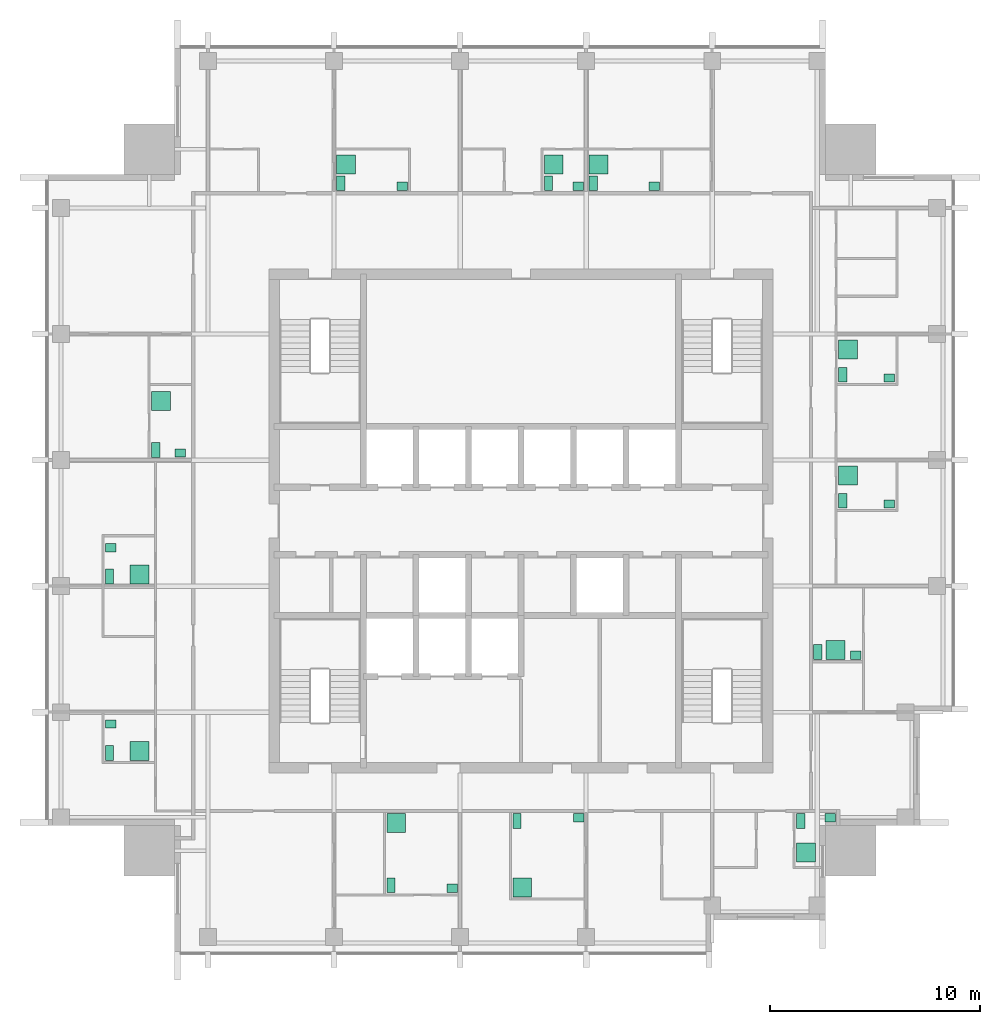
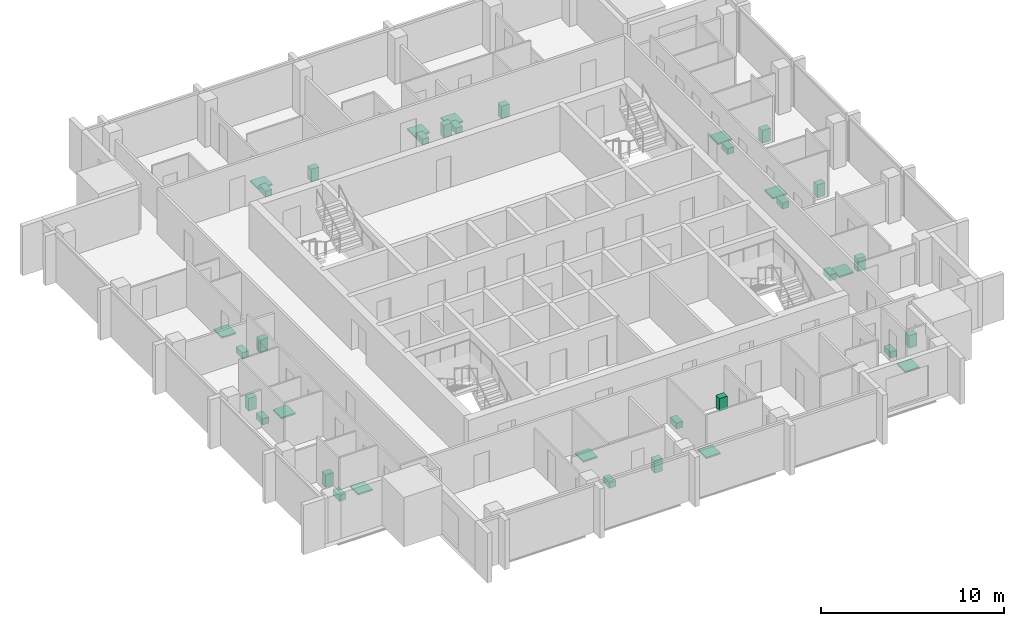
# One storey, part 9 of 9: 36 sanitary terminals.
"""IFC4 building model written with IfcOpenShell, lengths in metres."""

from ifc_helpers import new_model, si_unit, direction, frame, origin, origin_2d, place, context, subcontext, project, spatial, rectangle, extrude, element, save


model = new_model("IFC4")

# Units and contexts
model_context = context("Model", 3, precision=1e-05, world=origin(), true_north=direction((0.0, 1.0)))
body_context = subcontext(model_context, "Body", "Model", "MODEL_VIEW")
ifc_project = project(units=[si_unit("LENGTHUNIT", "METRE"), si_unit("AREAUNIT", "SQUARE_METRE"), si_unit("VOLUMEUNIT", "CUBIC_METRE"), si_unit("PLANEANGLEUNIT", "RADIAN"), si_unit("MASSUNIT", "GRAM", prefix="KILO")], contexts=[model_context])

# Site, building, storey
site_placement = place(None, origin())
site = spatial("IfcSite", under=ifc_project, at=site_placement, CompositionType="ELEMENT")
building_placement = place(site_placement, origin())
building = spatial("IfcBuilding", under=site, at=building_placement, Name="Amberfall Residences", CompositionType="ELEMENT")
storey_placement = place(building_placement, frame((0.0, 0.0, 265.300048828125)))
storey = spatial("IfcBuildingStorey", under=building, at=storey_placement, Name="L71", CompositionType="ELEMENT", Elevation=265.300048828125)

# Sanitary terminals
sanitary_terminal_1_placement = place(storey_placement, frame((68.31005859375, 28.159912109375, 0.0), z_axis=(0.0, 0.0, 1.0), x_axis=(1.0, 0.0, 0.0)))
element("IfcSanitaryTerminal", 1, at=sanitary_terminal_1_placement, inside=storey, Name="Water closet 7101", PredefinedType="TOILETPAN", context=body_context, shape_type="SweptSolid", body=[
    extrude(rectangle(XDim=0.39990234375, YDim=0.699951171875, at=origin_2d()), origin(), (0.0, 0.0, 1.0), 0.39990234375),
])
sanitary_terminal_2_placement = place(storey_placement, frame((71.215087890625, 28.010009765625, 0.0), z_axis=(0.0, 0.0, 1.0), x_axis=(1.0, 0.0, 0.0)))
element("IfcSanitaryTerminal", 2, at=sanitary_terminal_2_placement, inside=storey, Name="Basin 7101", PredefinedType="WASHHANDBASIN", context=body_context, shape_type="SweptSolid", body=[
    extrude(rectangle(XDim=0.5, YDim=0.39990234375, at=origin_2d()), origin(), (0.0, 0.0, 1.0), 0.85009765625),
])
sanitary_terminal_3_placement = place(storey_placement, frame((68.56005859375, 31.114990234375, 0.0), z_axis=(0.0, 0.0, 1.0), x_axis=(1.0, 0.0, 0.0)))
element("IfcSanitaryTerminal", 3, at=sanitary_terminal_3_placement, inside=storey, Name="Shower tray 7101", PredefinedType="SHOWER", context=body_context, shape_type="SweptSolid", body=[
    extrude(rectangle(XDim=0.89990234375, YDim=0.89990234375, at=origin_2d()), origin(), (0.0, 0.0, 1.0), 0.10009765625),
])
sanitary_terminal_4_placement = place(storey_placement, frame((74.31005859375, 31.215087890625, 0.0), z_axis=(0.0, 0.0, 1.0), x_axis=(1.0, 0.0, 0.0)))
element("IfcSanitaryTerminal", 4, at=sanitary_terminal_4_placement, inside=storey, Name="Water closet 7102", PredefinedType="TOILETPAN", context=body_context, shape_type="SweptSolid", body=[
    extrude(rectangle(XDim=0.39990234375, YDim=0.699951171875, at=origin_2d()), origin(), (0.0, 0.0, 1.0), 0.39990234375),
])
sanitary_terminal_5_placement = place(storey_placement, frame((77.239990234375, 31.364990234375, 0.0), z_axis=(0.0, 0.0, 1.0), x_axis=(1.0, 0.0, 0.0)))
element("IfcSanitaryTerminal", 5, at=sanitary_terminal_5_placement, inside=storey, Name="Basin 7102", PredefinedType="WASHHANDBASIN", context=body_context, shape_type="SweptSolid", body=[
    extrude(rectangle(XDim=0.5, YDim=0.39990234375, at=origin_2d()), origin(), (0.0, 0.0, 1.0), 0.85009765625),
])
sanitary_terminal_6_placement = place(storey_placement, frame((74.56005859375, 28.06005859375, 0.0), z_axis=(0.0, 0.0, 1.0), x_axis=(1.0, 0.0, 0.0)))
element("IfcSanitaryTerminal", 6, at=sanitary_terminal_6_placement, inside=storey, Name="Shower tray 7102", PredefinedType="SHOWER", context=body_context, shape_type="SweptSolid", body=[
    extrude(rectangle(XDim=0.89990234375, YDim=0.89990234375, at=origin_2d()), origin(), (0.0, 0.0, 1.0), 0.10009765625),
])
sanitary_terminal_7_placement = place(storey_placement, frame((87.81005859375, 31.215087890625, 0.0), z_axis=(0.0, 0.0, 1.0), x_axis=(1.0, 0.0, 0.0)))
element("IfcSanitaryTerminal", 7, at=sanitary_terminal_7_placement, inside=storey, Name="Water closet 7103", PredefinedType="TOILETPAN", context=body_context, shape_type="SweptSolid", body=[
    extrude(rectangle(XDim=0.39990234375, YDim=0.699951171875, at=origin_2d()), origin(), (0.0, 0.0, 1.0), 0.39990234375),
])
sanitary_terminal_8_placement = place(storey_placement, frame((89.215087890625, 31.364990234375, 0.0), z_axis=(0.0, 0.0, 1.0), x_axis=(1.0, 0.0, 0.0)))
element("IfcSanitaryTerminal", 8, at=sanitary_terminal_8_placement, inside=storey, Name="Basin 7103", PredefinedType="WASHHANDBASIN", context=body_context, shape_type="SweptSolid", body=[
    extrude(rectangle(XDim=0.5, YDim=0.39990234375, at=origin_2d()), origin(), (0.0, 0.0, 1.0), 0.85009765625),
])
sanitary_terminal_9_placement = place(storey_placement, frame((88.06005859375, 29.710693359375, 0.0), z_axis=(0.0, 0.0, 1.0), x_axis=(1.0, 0.0, 0.0)))
element("IfcSanitaryTerminal", 9, at=sanitary_terminal_9_placement, inside=storey, Name="Shower tray 7103", PredefinedType="SHOWER", context=body_context, shape_type="SweptSolid", body=[
    extrude(rectangle(XDim=0.89990234375, YDim=0.89990234375, at=origin_2d()), origin(), (0.0, 0.0, 1.0), 0.10009765625),
])
sanitary_terminal_10_placement = place(storey_placement, frame((88.635009765625, 39.260009765625, 0.0), z_axis=(0.0, 0.0, 1.0), x_axis=(1.0, 0.0, 0.0)))
element("IfcSanitaryTerminal", 10, at=sanitary_terminal_10_placement, inside=storey, Name="Water closet 7104", PredefinedType="TOILETPAN", context=body_context, shape_type="SweptSolid", body=[
    extrude(rectangle(XDim=0.39990234375, YDim=0.699951171875, at=origin_2d()), origin(), (0.0, 0.0, 1.0), 0.39990234375),
])
sanitary_terminal_11_placement = place(storey_placement, frame((90.43994140625, 39.110107421875, 0.0), z_axis=(0.0, 0.0, 1.0), x_axis=(1.0, 0.0, 0.0)))
element("IfcSanitaryTerminal", 11, at=sanitary_terminal_11_placement, inside=storey, Name="Basin 7104", PredefinedType="WASHHANDBASIN", context=body_context, shape_type="SweptSolid", body=[
    extrude(rectangle(XDim=0.5, YDim=0.39990234375, at=origin_2d()), origin(), (0.0, 0.0, 1.0), 0.85009765625),
])
sanitary_terminal_12_placement = place(storey_placement, frame((89.4658203125, 39.360107421875, 0.0), z_axis=(0.0, 0.0, 1.0), x_axis=(1.0, 0.0, 0.0)))
element("IfcSanitaryTerminal", 12, at=sanitary_terminal_12_placement, inside=storey, Name="Shower tray 7104", PredefinedType="SHOWER", context=body_context, shape_type="SweptSolid", body=[
    extrude(rectangle(XDim=0.89990234375, YDim=0.89990234375, at=origin_2d()), origin(), (0.0, 0.0, 1.0), 0.10009765625),
])
sanitary_terminal_13_placement = place(storey_placement, frame((89.81005859375, 46.4599609375, 0.0), z_axis=(0.0, 0.0, 1.0), x_axis=(1.0, 0.0, 0.0)))
element("IfcSanitaryTerminal", 13, at=sanitary_terminal_13_placement, inside=storey, Name="Water closet 7105", PredefinedType="TOILETPAN", context=body_context, shape_type="SweptSolid", body=[
    extrude(rectangle(XDim=0.39990234375, YDim=0.699951171875, at=origin_2d()), origin(), (0.0, 0.0, 1.0), 0.39990234375),
])
sanitary_terminal_14_placement = place(storey_placement, frame((92.0400390625, 46.31005859375, 0.0), z_axis=(0.0, 0.0, 1.0), x_axis=(1.0, 0.0, 0.0)))
element("IfcSanitaryTerminal", 14, at=sanitary_terminal_14_placement, inside=storey, Name="Basin 7105", PredefinedType="WASHHANDBASIN", context=body_context, shape_type="SweptSolid", body=[
    extrude(rectangle(XDim=0.5, YDim=0.39990234375, at=origin_2d()), origin(), (0.0, 0.0, 1.0), 0.85009765625),
])
sanitary_terminal_15_placement = place(storey_placement, frame((90.06005859375, 47.6572265625, 0.0), z_axis=(0.0, 0.0, 1.0), x_axis=(1.0, 0.0, 0.0)))
element("IfcSanitaryTerminal", 15, at=sanitary_terminal_15_placement, inside=storey, Name="Shower tray 7105", PredefinedType="SHOWER", context=body_context, shape_type="SweptSolid", body=[
    extrude(rectangle(XDim=0.89990234375, YDim=0.89990234375, at=origin_2d()), origin(), (0.0, 0.0, 1.0), 0.10009765625),
])
sanitary_terminal_16_placement = place(storey_placement, frame((89.81005859375, 52.4599609375, 0.0), z_axis=(0.0, 0.0, 1.0), x_axis=(1.0, 0.0, 0.0)))
element("IfcSanitaryTerminal", 16, at=sanitary_terminal_16_placement, inside=storey, Name="Water closet 7105", PredefinedType="TOILETPAN", context=body_context, shape_type="SweptSolid", body=[
    extrude(rectangle(XDim=0.39990234375, YDim=0.699951171875, at=origin_2d()), origin(), (0.0, 0.0, 1.0), 0.39990234375),
])
sanitary_terminal_17_placement = place(storey_placement, frame((92.0400390625, 52.31005859375, 0.0), z_axis=(0.0, 0.0, 1.0), x_axis=(1.0, 0.0, 0.0)))
element("IfcSanitaryTerminal", 17, at=sanitary_terminal_17_placement, inside=storey, Name="Basin 7105", PredefinedType="WASHHANDBASIN", context=body_context, shape_type="SweptSolid", body=[
    extrude(rectangle(XDim=0.5, YDim=0.39990234375, at=origin_2d()), origin(), (0.0, 0.0, 1.0), 0.85009765625),
])
sanitary_terminal_18_placement = place(storey_placement, frame((90.06005859375, 53.6572265625, 0.0), z_axis=(0.0, 0.0, 1.0), x_axis=(1.0, 0.0, 0.0)))
element("IfcSanitaryTerminal", 18, at=sanitary_terminal_18_placement, inside=storey, Name="Shower tray 7105", PredefinedType="SHOWER", context=body_context, shape_type="SweptSolid", body=[
    extrude(rectangle(XDim=0.89990234375, YDim=0.89990234375, at=origin_2d()), origin(), (0.0, 0.0, 1.0), 0.10009765625),
])
sanitary_terminal_19_placement = place(storey_placement, frame((65.909912109375, 61.5849609375, 0.0), z_axis=(0.0, 0.0, 1.0), x_axis=(1.0, 0.0, 0.0)))
element("IfcSanitaryTerminal", 19, at=sanitary_terminal_19_placement, inside=storey, Name="Water closet 7106", PredefinedType="TOILETPAN", context=body_context, shape_type="SweptSolid", body=[
    extrude(rectangle(XDim=0.39990234375, YDim=0.699951171875, at=origin_2d()), origin(), (0.0, 0.0, 1.0), 0.39990234375),
])
sanitary_terminal_20_placement = place(storey_placement, frame((68.840087890625, 61.43505859375, 0.0), z_axis=(0.0, 0.0, 1.0), x_axis=(1.0, 0.0, 0.0)))
element("IfcSanitaryTerminal", 20, at=sanitary_terminal_20_placement, inside=storey, Name="Basin 7106", PredefinedType="WASHHANDBASIN", context=body_context, shape_type="SweptSolid", body=[
    extrude(rectangle(XDim=0.5, YDim=0.39990234375, at=origin_2d()), origin(), (0.0, 0.0, 1.0), 0.85009765625),
])
sanitary_terminal_21_placement = place(storey_placement, frame((66.159912109375, 62.480712890625, 0.0), z_axis=(0.0, 0.0, 1.0), x_axis=(1.0, 0.0, 0.0)))
element("IfcSanitaryTerminal", 21, at=sanitary_terminal_21_placement, inside=storey, Name="Shower tray 7106", PredefinedType="SHOWER", context=body_context, shape_type="SweptSolid", body=[
    extrude(rectangle(XDim=0.89990234375, YDim=0.89990234375, at=origin_2d()), origin(), (0.0, 0.0, 1.0), 0.10009765625),
])
sanitary_terminal_22_placement = place(storey_placement, frame((75.81005859375, 61.5849609375, 0.0), z_axis=(0.0, 0.0, 1.0), x_axis=(1.0, 0.0, 0.0)))
element("IfcSanitaryTerminal", 22, at=sanitary_terminal_22_placement, inside=storey, Name="Water closet 7107", PredefinedType="TOILETPAN", context=body_context, shape_type="SweptSolid", body=[
    extrude(rectangle(XDim=0.39990234375, YDim=0.699951171875, at=origin_2d()), origin(), (0.0, 0.0, 1.0), 0.39990234375),
])
sanitary_terminal_23_placement = place(storey_placement, frame((77.215087890625, 61.43505859375, 0.0), z_axis=(0.0, 0.0, 1.0), x_axis=(1.0, 0.0, 0.0)))
element("IfcSanitaryTerminal", 23, at=sanitary_terminal_23_placement, inside=storey, Name="Basin 7107", PredefinedType="WASHHANDBASIN", context=body_context, shape_type="SweptSolid", body=[
    extrude(rectangle(XDim=0.5, YDim=0.39990234375, at=origin_2d()), origin(), (0.0, 0.0, 1.0), 0.85009765625),
])
sanitary_terminal_24_placement = place(storey_placement, frame((76.06005859375, 62.480712890625, 0.0), z_axis=(0.0, 0.0, 1.0), x_axis=(1.0, 0.0, 0.0)))
element("IfcSanitaryTerminal", 24, at=sanitary_terminal_24_placement, inside=storey, Name="Shower tray 7107", PredefinedType="SHOWER", context=body_context, shape_type="SweptSolid", body=[
    extrude(rectangle(XDim=0.89990234375, YDim=0.89990234375, at=origin_2d()), origin(), (0.0, 0.0, 1.0), 0.10009765625),
])
sanitary_terminal_25_placement = place(storey_placement, frame((77.93505859375, 61.5849609375, 0.0), z_axis=(0.0, 0.0, 1.0), x_axis=(1.0, 0.0, 0.0)))
element("IfcSanitaryTerminal", 25, at=sanitary_terminal_25_placement, inside=storey, Name="Water closet 7108", PredefinedType="TOILETPAN", context=body_context, shape_type="SweptSolid", body=[
    extrude(rectangle(XDim=0.39990234375, YDim=0.699951171875, at=origin_2d()), origin(), (0.0, 0.0, 1.0), 0.39990234375),
])
sanitary_terminal_26_placement = place(storey_placement, frame((80.840087890625, 61.43505859375, 0.0), z_axis=(0.0, 0.0, 1.0), x_axis=(1.0, 0.0, 0.0)))
element("IfcSanitaryTerminal", 26, at=sanitary_terminal_26_placement, inside=storey, Name="Basin 7108", PredefinedType="WASHHANDBASIN", context=body_context, shape_type="SweptSolid", body=[
    extrude(rectangle(XDim=0.5, YDim=0.39990234375, at=origin_2d()), origin(), (0.0, 0.0, 1.0), 0.85009765625),
])
sanitary_terminal_27_placement = place(storey_placement, frame((78.18505859375, 62.480712890625, 0.0), z_axis=(0.0, 0.0, 1.0), x_axis=(1.0, 0.0, 0.0)))
element("IfcSanitaryTerminal", 27, at=sanitary_terminal_27_placement, inside=storey, Name="Shower tray 7108", PredefinedType="SHOWER", context=body_context, shape_type="SweptSolid", body=[
    extrude(rectangle(XDim=0.89990234375, YDim=0.89990234375, at=origin_2d()), origin(), (0.0, 0.0, 1.0), 0.10009765625),
])
sanitary_terminal_28_placement = place(storey_placement, frame((54.909912109375, 34.4599609375, 0.0), z_axis=(0.0, 0.0, 1.0), x_axis=(1.0, 0.0, 0.0)))
element("IfcSanitaryTerminal", 28, at=sanitary_terminal_28_placement, inside=storey, Name="Water closet 7109", PredefinedType="TOILETPAN", context=body_context, shape_type="SweptSolid", body=[
    extrude(rectangle(XDim=0.39990234375, YDim=0.699951171875, at=origin_2d()), origin(), (0.0, 0.0, 1.0), 0.39990234375),
])
sanitary_terminal_29_placement = place(storey_placement, frame((54.9599609375, 35.835693359375, 0.0), z_axis=(0.0, 0.0, 1.0), x_axis=(1.0, 0.0, 0.0)))
element("IfcSanitaryTerminal", 29, at=sanitary_terminal_29_placement, inside=storey, Name="Basin 7109", PredefinedType="WASHHANDBASIN", context=body_context, shape_type="SweptSolid", body=[
    extrude(rectangle(XDim=0.5, YDim=0.39990234375, at=origin_2d()), origin(), (0.0, 0.0, 1.0), 0.85009765625),
])
sanitary_terminal_30_placement = place(storey_placement, frame((56.3427734375, 34.56005859375, 0.0), z_axis=(0.0, 0.0, 1.0), x_axis=(1.0, 0.0, 0.0)))
element("IfcSanitaryTerminal", 30, at=sanitary_terminal_30_placement, inside=storey, Name="Shower tray 7109", PredefinedType="SHOWER", context=body_context, shape_type="SweptSolid", body=[
    extrude(rectangle(XDim=0.89990234375, YDim=0.89990234375, at=origin_2d()), origin(), (0.0, 0.0, 1.0), 0.10009765625),
])
sanitary_terminal_31_placement = place(storey_placement, frame((54.909912109375, 42.860107421875, 0.0), z_axis=(0.0, 0.0, 1.0), x_axis=(1.0, 0.0, 0.0)))
element("IfcSanitaryTerminal", 31, at=sanitary_terminal_31_placement, inside=storey, Name="Water closet 7109", PredefinedType="TOILETPAN", context=body_context, shape_type="SweptSolid", body=[
    extrude(rectangle(XDim=0.39990234375, YDim=0.699951171875, at=origin_2d()), origin(), (0.0, 0.0, 1.0), 0.39990234375),
])
sanitary_terminal_32_placement = place(storey_placement, frame((54.9599609375, 44.235595703125, 0.0), z_axis=(0.0, 0.0, 1.0), x_axis=(1.0, 0.0, 0.0)))
element("IfcSanitaryTerminal", 32, at=sanitary_terminal_32_placement, inside=storey, Name="Basin 7109", PredefinedType="WASHHANDBASIN", context=body_context, shape_type="SweptSolid", body=[
    extrude(rectangle(XDim=0.5, YDim=0.39990234375, at=origin_2d()), origin(), (0.0, 0.0, 1.0), 0.85009765625),
])
sanitary_terminal_33_placement = place(storey_placement, frame((56.3427734375, 42.9599609375, 0.0), z_axis=(0.0, 0.0, 1.0), x_axis=(1.0, 0.0, 0.0)))
element("IfcSanitaryTerminal", 33, at=sanitary_terminal_33_placement, inside=storey, Name="Shower tray 7109", PredefinedType="SHOWER", context=body_context, shape_type="SweptSolid", body=[
    extrude(rectangle(XDim=0.89990234375, YDim=0.89990234375, at=origin_2d()), origin(), (0.0, 0.0, 1.0), 0.10009765625),
])
sanitary_terminal_34_placement = place(storey_placement, frame((57.110107421875, 48.885009765625, 0.0), z_axis=(0.0, 0.0, 1.0), x_axis=(1.0, 0.0, 0.0)))
element("IfcSanitaryTerminal", 34, at=sanitary_terminal_34_placement, inside=storey, Name="Water closet 7110", PredefinedType="TOILETPAN", context=body_context, shape_type="SweptSolid", body=[
    extrude(rectangle(XDim=0.39990234375, YDim=0.699951171875, at=origin_2d()), origin(), (0.0, 0.0, 1.0), 0.39990234375),
])
sanitary_terminal_35_placement = place(storey_placement, frame((58.2890625, 48.735107421875, 0.0), z_axis=(0.0, 0.0, 1.0), x_axis=(1.0, 0.0, 0.0)))
element("IfcSanitaryTerminal", 35, at=sanitary_terminal_35_placement, inside=storey, Name="Basin 7110", PredefinedType="WASHHANDBASIN", context=body_context, shape_type="SweptSolid", body=[
    extrude(rectangle(XDim=0.5, YDim=0.39990234375, at=origin_2d()), origin(), (0.0, 0.0, 1.0), 0.85009765625),
])
sanitary_terminal_36_placement = place(storey_placement, frame((57.360107421875, 51.216796875, 0.0), z_axis=(0.0, 0.0, 1.0), x_axis=(1.0, 0.0, 0.0)))
element("IfcSanitaryTerminal", 36, at=sanitary_terminal_36_placement, inside=storey, Name="Shower tray 7110", PredefinedType="SHOWER", context=body_context, shape_type="SweptSolid", body=[
    extrude(rectangle(XDim=0.89990234375, YDim=0.89990234375, at=origin_2d()), origin(), (0.0, 0.0, 1.0), 0.10009765625),
])

save(model, "model.ifc")
